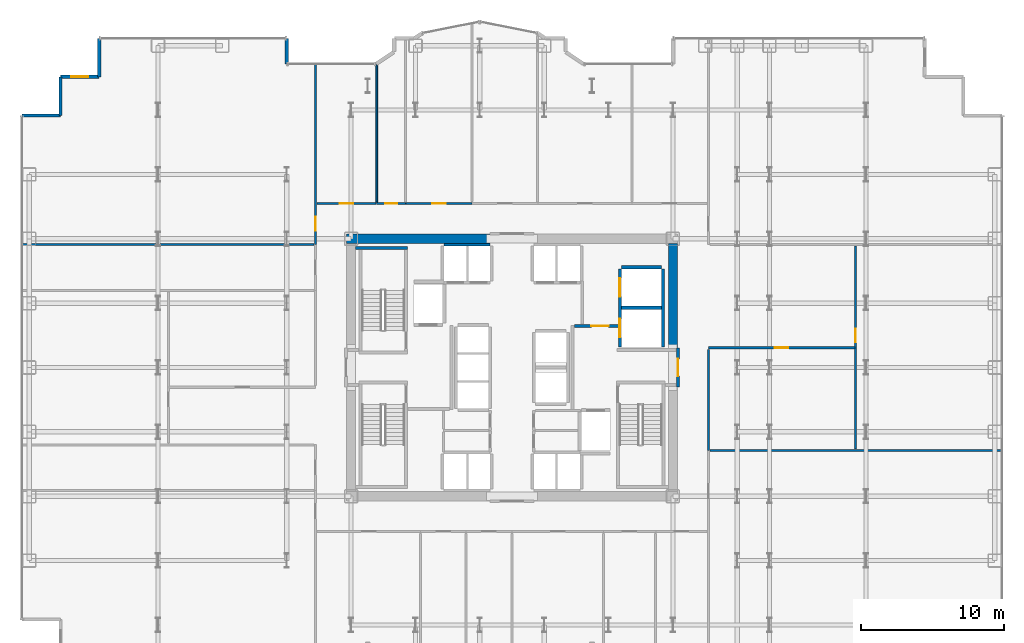
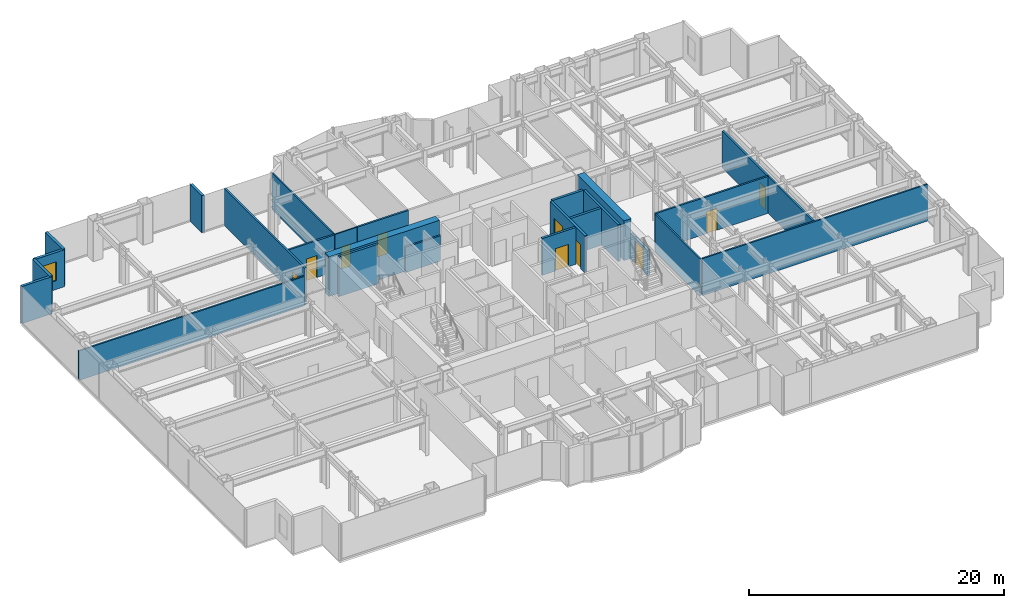
# One storey, part 23 of 25: 25 walls, 10 doors, 1 window, 11 openings.
"""IFC4 building model written with IfcOpenShell, lengths in metres."""

from ifc_helpers import new_model, si_unit, direction, frame, frame_2d, origin, place, context, subcontext, project, spatial, rectangle, extrude, source, transform, mapped, material, layer, layer_set, type_object, element, fill, save


model = new_model("IFC4")

# Units and contexts
model_context = context("Model", 3, precision=1e-05, world=origin(), true_north=direction((0.0, 1.0)))
body_context = subcontext(model_context, "Body", "Model", "MODEL_VIEW")
ifc_project = project(units=[si_unit("LENGTHUNIT", "METRE"), si_unit("AREAUNIT", "SQUARE_METRE"), si_unit("VOLUMEUNIT", "CUBIC_METRE"), si_unit("PLANEANGLEUNIT", "RADIAN"), si_unit("MASSUNIT", "GRAM", prefix="KILO")], contexts=[model_context])

# Site, building, storey
site_placement = place(None, origin())
site = spatial("IfcSite", under=ifc_project, at=site_placement, CompositionType="ELEMENT")
building_placement = place(site_placement, origin())
building = spatial("IfcBuilding", under=site, at=building_placement, Name="Nefas-Gora Pilgrimage Tower", CompositionType="ELEMENT")
storey_placement = place(building_placement, frame((0.0, 0.0, 71.0)))
storey = spatial("IfcBuildingStorey", under=building, at=storey_placement, Name="L16", CompositionType="ELEMENT", Elevation=71.0)

# Walls
ifc_material_1 = material(Name="Concrete C60/75", Category="concrete")
ifc_layer_1 = layer(ifc_material_1, 0.64990234375)
ifc_layer_set_1 = layer_set([ifc_layer_1], Name="Concrete C60/75")
wall_type_1 = type_object("IfcWallType", Name="SW-CORE-650", PredefinedType="SHEAR", material=ifc_layer_set_1)
shared_shape_1 = source(origin(), body_context, "Body", "SweptSolid", [
    extrude(rectangle(XDim=10.02490234375, YDim=0.64990234375, at=frame_2d((5.012451171875, 0.0))), origin(), (0.0, 0.0, 1.0), 3.800048828125),
])
wall_1_placement = place(storey_placement, frame((-11.574951171875, 9.0, 0.0), z_axis=(0.0, 0.0, 1.0), x_axis=(1.0, 0.0, 0.0)))
element("IfcWall", 1, at=wall_1_placement, inside=storey, type_object=wall_type_1, Name="L16 Core Shear Wall N-West", PredefinedType="SHEAR", context=body_context, shape_type="MappedRepresentation", body=[
    mapped(shared_shape_1, transform((0.0, 0.0, 0.0), x_axis=(1.0, 0.0, 0.0), y_axis=(0.0, 1.0, 0.0), z_axis=(0.0, 0.0, 1.0), scale=1.0)),
])
shared_shape_2 = source(origin(), body_context, "Body", "SweptSolid", [
    extrude(rectangle(XDim=7.324951171875, YDim=0.64990234375, at=frame_2d((3.66259765625, 0.0))), origin(), (0.0, 0.0, 1.0), 3.800048828125),
])
wall_2_placement = place(storey_placement, frame((11.25, 1.35009765625, 0.0), z_axis=(0.0, 0.0, 1.0), x_axis=(0.0, 1.0, 0.0)))
element("IfcWall", 2, at=wall_2_placement, inside=storey, type_object=wall_type_1, Name="L16 Core Shear Wall E-North", PredefinedType="SHEAR", context=body_context, shape_type="MappedRepresentation", body=[
    mapped(shared_shape_2, transform((0.0, 0.0, 0.0), x_axis=(1.0, 0.0, 0.0), y_axis=(0.0, 1.0, 0.0), z_axis=(0.0, 0.0, 1.0), scale=1.0)),
])
ifc_material_2 = material(Name="Precast concrete C40/50", Category="concrete")
ifc_layer_2 = layer(ifc_material_2, 0.260009765625)
ifc_layer_set_2 = layer_set([ifc_layer_2], Name="Precast concrete C40/50")
wall_type_2 = type_object("IfcWallType", Name="EW-PORTAL-260", PredefinedType="SOLIDWALL", material=ifc_layer_set_2)
shared_shape_3 = source(origin(), body_context, "Body", "SweptSolid", [
    extrude(rectangle(XDim=1.800048828125, YDim=0.260009765625, at=frame_2d((0.89990234375, 0.0))), origin(), (0.0, 0.0, 1.0), 3.550048828125),
])
wall_3_placement = place(storey_placement, frame((-15.75, 21.219970703125, 0.0), z_axis=(0.0, 0.0, 1.0), x_axis=(0.0, 1.0, 0.0)))
element("IfcWall", 3, at=wall_3_placement, inside=storey, type_object=wall_type_2, Name="L16 Lobe Shoulder Precast Spandrel Pier 19", PredefinedType="SOLIDWALL", context=body_context, shape_type="MappedRepresentation", body=[
    mapped(shared_shape_3, transform((0.0, 0.0, 0.0), x_axis=(1.0, 0.0, 0.0), y_axis=(0.0, 1.0, 0.0), z_axis=(0.0, 0.0, 1.0), scale=1.0)),
])
ifc_material_3 = material(Name="Precast concrete C45/55", Category="concrete")
ifc_layer_3 = layer(ifc_material_3, 0.239990234375)
ifc_layer_set_3 = layer_set([ifc_layer_3], Name="Precast concrete C45/55")
wall_type_3 = type_object("IfcWallType", Name="EW-SERR-240", PredefinedType="SHEAR", material=ifc_layer_set_3)
shared_shape_4 = source(origin(), body_context, "Body", "SweptSolid", [
    extrude(rectangle(XDim=2.699951171875, YDim=0.239990234375, at=frame_2d((1.35009765625, 0.0))), origin(), (0.0, 0.0, 1.0), 3.550048828125),
])
wall_4_placement = place(storey_placement, frame((-28.8701171875, 23.02001953125, 0.0), z_axis=(0.0, 0.0, 1.0), x_axis=(0.0, -1.0, 0.0)))
element("IfcWall", 4, at=wall_4_placement, inside=storey, type_object=wall_type_3, Name="L16 Serrated Corner Shear Pier Wall 20", PredefinedType="SHEAR", context=body_context, shape_type="MappedRepresentation", body=[
    mapped(shared_shape_4, transform((0.0, 0.0, 0.0), x_axis=(1.0, 0.0, 0.0), y_axis=(0.0, 1.0, 0.0), z_axis=(0.0, 0.0, 1.0), scale=1.0)),
])

# Wall, opening, window
wall_5_placement = place(storey_placement, frame((-28.8701171875, 20.320068359375, 0.0), z_axis=(0.0, 0.0, 1.0), x_axis=(-1.0, 0.0, 0.0)))
wall_5 = element("IfcWall", 5, at=wall_5_placement, inside=storey, type_object=wall_type_3, Name="L16 Serrated Corner Shear Pier Wall 21", PredefinedType="SHEAR", context=body_context, shape_type="MappedRepresentation", body=[
    mapped(shared_shape_4, transform((0.0, 0.0, 0.0), x_axis=(1.0, 0.0, 0.0), y_axis=(0.0, 1.0, 0.0), z_axis=(0.0, 0.0, 1.0), scale=1.0)),
])
opening_1_placement = place(wall_5_placement, frame((0.75, 0.0, 0.85009765625)))
opening_1 = element("IfcOpeningElement", 6, at=opening_1_placement, cuts=wall_5, Name="Opening W-V1", PredefinedType="OPENING", context=body_context, shape_type="SweptSolid", body=[
    extrude(rectangle(XDim=1.199951171875, YDim=1.800048828125, at=frame_2d((0.60009765625, 0.89990234375))), frame((0.0, 0.1298828125, 0.0), z_axis=(0.0, -1.0, 0.0), x_axis=(1.0, 0.0, 0.0)), (0.0, 0.0, 1.0), 0.260009765625),
])
ifc_material_4 = material(Name="Dark ceramic-fritted operable aluminium-glass window", Category="aluminium")
window_type = type_object("IfcWindowType", Name="WIN-VENT-1200x1800", PartitioningType="SINGLE_PANEL", PredefinedType="WINDOW", material=ifc_material_4)
shared_shape_5 = source(origin(), body_context, "Body", "SweptSolid", [
    extrude(rectangle(XDim=1.199951171875, YDim=1.800048828125, at=frame_2d((0.60009765625, 0.89990234375))), frame((0.0, 0.030029296875, 0.0), z_axis=(0.0, -1.0, 0.0), x_axis=(1.0, 0.0, 0.0)), (0.0, 0.0, 1.0), 0.06005859375),
])
window_placement = place(opening_1_placement, origin())
window = element("IfcWindow", 7, at=window_placement, inside=storey, type_object=window_type, Name="L16 Operable Parallel-Outswing Window 21", OverallHeight=1.800048828125, OverallWidth=1.199951171875, PartitioningType="SINGLE_PANEL", PredefinedType="WINDOW", context=body_context, shape_type="MappedRepresentation", body=[
    mapped(shared_shape_5, transform((0.0, 0.0, 0.0), x_axis=(1.0, 0.0, 0.0), y_axis=(0.0, 1.0, 0.0), z_axis=(0.0, 0.0, 1.0), scale=1.0)),
])
fill(opening_1, window)

# Walls
for number, where, z_axis, x_axis, name in (
    (8, (-31.570068359375, 20.320068359375, 0.0), (0.0, 0.0, 1.0), (0.0, -1.0, 0.0), "L16 Serrated Corner Shear Pier Wall 22"),
    (9, (-31.570068359375, 17.6201171875, 0.0), (0.0, 0.0, 1.0), (-1.0, 0.0, 0.0), "L16 Serrated Corner Shear Pier Wall 23"),
):
    element("IfcWall", number, at=place(storey_placement, frame(where, z_axis=z_axis, x_axis=x_axis)), inside=storey, type_object=wall_type_3, Name=name, PredefinedType="SHEAR", context=body_context, shape_type="MappedRepresentation", body=[
        mapped(shared_shape_4, transform((0.0, 0.0, 0.0), x_axis=(1.0, 0.0, 0.0), y_axis=(0.0, 1.0, 0.0), z_axis=(0.0, 0.0, 1.0), scale=1.0)),
    ])
ifc_material_5 = material(Name="Concrete C45/55", Category="concrete")
ifc_layer_4 = layer(ifc_material_5, 0.199951171875)
ifc_layer_set_4 = layer_set([ifc_layer_4], Name="Concrete C45/55")
wall_type_4 = type_object("IfcWallType", Name="IW-STAIR-200", PredefinedType="SOLIDWALL", material=ifc_layer_set_4)
shared_shape_6 = source(origin(), body_context, "Body", "SweptSolid", [
    extrude(rectangle(XDim=3.6298828125, YDim=0.199951171875, at=frame_2d((1.81494140625, 0.0))), origin(), (0.0, 0.0, 1.0), 3.800048828125),
])
wall_6_placement = place(storey_placement, frame((-7.300048828125, 8.35009765625, 0.0), z_axis=(0.0, 0.0, 1.0), x_axis=(-1.0, 0.0, 0.0)))
element("IfcWall", 10, at=wall_6_placement, inside=storey, type_object=wall_type_4, Name="L16 Stairwell Shear Wall ST-01-far", PredefinedType="SOLIDWALL", context=body_context, shape_type="MappedRepresentation", body=[
    mapped(shared_shape_6, transform((0.0, 0.0, 0.0), x_axis=(1.0, 0.0, 0.0), y_axis=(0.0, 1.0, 0.0), z_axis=(0.0, 0.0, 1.0), scale=1.0)),
])

# Wall, openings, doors
ifc_material_6 = material(Name="Concrete C40/50", Category="concrete")
ifc_layer_5 = layer(ifc_material_6, 0.219970703125)
ifc_layer_set_5 = layer_set([ifc_layer_5], Name="Concrete C40/50")
wall_type_5 = type_object("IfcWallType", Name="IW-SHAFT-220", PredefinedType="SOLIDWALL", material=ifc_layer_set_5)
shared_shape_7 = source(origin(), body_context, "Body", "SweptSolid", [
    extrude(rectangle(XDim=5.449951171875, YDim=0.219970703125, at=frame_2d((2.72509765625, 0.0))), origin(), (0.0, 0.0, 1.0), 3.534912109375),
])
wall_7_placement = place(storey_placement, frame((7.5400390625, 6.89990234375, 0.0), z_axis=(0.0, 0.0, 1.0), x_axis=(0.0, -1.0, 0.0)))
wall_7 = element("IfcWall", 11, at=wall_7_placement, inside=storey, type_object=wall_type_5, Name="L16 Hoistway Wall SL-01-02-W", PredefinedType="SOLIDWALL", context=body_context, shape_type="MappedRepresentation", body=[
    mapped(shared_shape_7, transform((0.0, 0.0, 0.0), x_axis=(1.0, 0.0, 0.0), y_axis=(0.0, 1.0, 0.0), z_axis=(0.0, 0.0, 1.0), scale=1.0)),
])
opening_2_placement = place(wall_7_placement, frame((3.5, 0.0, 0.0)))
opening_2 = element("IfcOpeningElement", 12, at=opening_2_placement, cuts=wall_7, Name="Opening LD-SV", PredefinedType="OPENING", context=body_context, shape_type="SweptSolid", body=[
    extrude(rectangle(XDim=1.300048828125, YDim=2.300048828125, at=frame_2d((0.64990234375, 1.14990234375))), frame((0.0, 0.119873046875, 0.0), z_axis=(0.0, -1.0, 0.0), x_axis=(1.0, 0.0, 0.0)), (0.0, 0.0, 1.0), 0.239990234375),
])
opening_3_placement = place(wall_7_placement, frame((0.64990234375, 0.0, 0.0)))
opening_3 = element("IfcOpeningElement", 13, at=opening_3_placement, cuts=wall_7, Name="Opening LD-SV", PredefinedType="OPENING", context=body_context, shape_type="SweptSolid", body=[
    extrude(rectangle(XDim=1.300048828125, YDim=2.300048828125, at=frame_2d((0.64990234375, 1.14990234375))), frame((0.0, 0.119873046875, 0.0), z_axis=(0.0, -1.0, 0.0), x_axis=(1.0, 0.0, 0.0)), (0.0, 0.0, 1.0), 0.239990234375),
])
ifc_material_7 = material(Name="Heavy goods sliding lift landing door")
door_type_1 = type_object("IfcDoorType", Name="DR-LIFT-SERV-1300", OperationType="SLIDING_TO_RIGHT", PredefinedType="DOOR", material=ifc_material_7)
shared_shape_8 = source(origin(), body_context, "Body", "SweptSolid", [
    extrude(rectangle(XDim=1.300048828125, YDim=2.300048828125, at=frame_2d((0.64990234375, 1.14990234375))), frame((0.0, 0.02490234375, 0.0), z_axis=(0.0, -1.0, 0.0), x_axis=(1.0, 0.0, 0.0)), (0.0, 0.0, 1.0), 0.050048828125),
])
door_1_placement = place(opening_2_placement, origin())
door_1 = element("IfcDoor", 14, at=door_1_placement, inside=storey, type_object=door_type_1, Name="L16 Sliding Lift Landing Door SL-01", OperationType="SLIDING_TO_RIGHT", OverallHeight=2.300048828125, OverallWidth=1.300048828125, PredefinedType="DOOR", context=body_context, shape_type="MappedRepresentation", body=[
    mapped(shared_shape_8, transform((0.0, 0.0, 0.0), x_axis=(1.0, 0.0, 0.0), y_axis=(0.0, 1.0, 0.0), z_axis=(0.0, 0.0, 1.0), scale=1.0)),
])
fill(opening_2, door_1)
door_2_placement = place(opening_3_placement, origin())
door_2 = element("IfcDoor", 15, at=door_2_placement, inside=storey, type_object=door_type_1, Name="L16 Sliding Lift Landing Door SL-02", OperationType="SLIDING_TO_RIGHT", OverallHeight=2.300048828125, OverallWidth=1.300048828125, PredefinedType="DOOR", context=body_context, shape_type="MappedRepresentation", body=[
    mapped(shared_shape_8, transform((0.0, 0.0, 0.0), x_axis=(1.0, 0.0, 0.0), y_axis=(0.0, 1.0, 0.0), z_axis=(0.0, 0.0, 1.0), scale=1.0)),
])
fill(opening_3, door_2)

# Walls
wall_8_placement = place(storey_placement, frame((10.56005859375, 1.449951171875, 0.0), z_axis=(0.0, 0.0, 1.0), x_axis=(0.0, 1.0, 0.0)))
element("IfcWall", 16, at=wall_8_placement, inside=storey, type_object=wall_type_5, Name="L16 Hoistway Wall SL-01-02-E", PredefinedType="SOLIDWALL", context=body_context, shape_type="MappedRepresentation", body=[
    mapped(shared_shape_7, transform((0.0, 0.0, 0.0), x_axis=(1.0, 0.0, 0.0), y_axis=(0.0, 1.0, 0.0), z_axis=(0.0, 0.0, 1.0), scale=1.0)),
])
shared_shape_9 = source(origin(), body_context, "Body", "SweptSolid", [
    extrude(rectangle(XDim=2.780029296875, YDim=0.219970703125, at=frame_2d((1.39013671875, 0.0))), origin(), (0.0, 0.0, 1.0), 3.534912109375),
])
for number, where, z_axis, x_axis, name in (
    (17, (7.659912109375, 4.175048828125, 0.0), (0.0, 0.0, 1.0), (1.0, 0.0, 0.0), "L16 Hoistway Wall SL-01-02-DIV"),
    (18, (10.43994140625, 7.010009765625, 0.0), (0.0, 0.0, 1.0), (-1.0, 0.0, 0.0), "L16 Hoistway Wall SL-02-N"),
):
    element("IfcWall", number, at=place(storey_placement, frame(where, z_axis=z_axis, x_axis=x_axis)), inside=storey, type_object=wall_type_5, Name=name, PredefinedType="SOLIDWALL", context=body_context, shape_type="MappedRepresentation", body=[
        mapped(shared_shape_9, transform((0.0, 0.0, 0.0), x_axis=(1.0, 0.0, 0.0), y_axis=(0.0, 1.0, 0.0), z_axis=(0.0, 0.0, 1.0), scale=1.0)),
    ])
ifc_material_8 = material(Name="Gypsum acoustic stud partition")
ifc_layer_6 = layer(ifc_material_8, 0.159912109375)
ifc_layer_set_6 = layer_set([ifc_layer_6], Name="Gypsum acoustic stud partition")
wall_type_6 = type_object("IfcWallType", Name="IW-CORR-160", PredefinedType="PARTITIONING", material=ifc_layer_set_6)
shared_shape_10 = source(origin(), body_context, "Body", "SweptSolid", [
    extrude(rectangle(XDim=3.199951171875, YDim=0.159912109375, at=frame_2d((1.60009765625, 0.0))), origin(), (0.0, 0.0, 1.0), 2.425048828125),
])
wall_9_placement = place(storey_placement, frame((-1.550048828125, 8.580078125, 0.0), z_axis=(0.0, 0.0, 1.0), x_axis=(-1.0, 0.0, 0.0)))
element("IfcWall", 19, at=wall_9_placement, inside=storey, type_object=wall_type_6, Name="L16 Hoistway Wall PL1-W-N", PredefinedType="PARTITIONING", context=body_context, shape_type="MappedRepresentation", body=[
    mapped(shared_shape_10, transform((0.0, 0.0, 0.0), x_axis=(1.0, 0.0, 0.0), y_axis=(0.0, 1.0, 0.0), z_axis=(0.0, 0.0, 1.0), scale=1.0)),
])

# Wall, opening, door
ifc_material_9 = material(Name="Gypsum fire-rated shaftwall")
ifc_layer_7 = layer(ifc_material_9, 0.199951171875)
ifc_layer_set_7 = layer_set([ifc_layer_7], Name="Gypsum fire-rated shaftwall")
wall_type_7 = type_object("IfcWallType", Name="IW-FFLOB-200", PredefinedType="PARTITIONING", material=ifc_layer_set_7)
shared_shape_11 = source(origin(), body_context, "Body", "SweptSolid", [
    extrude(rectangle(XDim=2.7001953125, YDim=0.199951171875, at=frame_2d((1.35009765625, 0.0))), origin(), (0.0, 0.0, 1.0), 2.425048828125),
])
wall_10_placement = place(storey_placement, frame((11.60009765625, -1.35009765625, 0.0), z_axis=(0.0, 0.0, 1.0), x_axis=(0.0, 1.0, 0.0)))
wall_10 = element("IfcWall", 20, at=wall_10_placement, inside=storey, type_object=wall_type_7, Name="L16 FF Lobby East Portal Wall 8", PredefinedType="PARTITIONING", context=body_context, shape_type="MappedRepresentation", body=[
    mapped(shared_shape_11, transform((0.0, 0.0, 0.0), x_axis=(1.0, 0.0, 0.0), y_axis=(0.0, 1.0, 0.0), z_axis=(0.0, 0.0, 1.0), scale=1.0)),
])
opening_4_placement = place(wall_10_placement, frame((0.75, 0.0, 0.0)))
opening_4 = element("IfcOpeningElement", 21, at=opening_4_placement, cuts=wall_10, Name="Opening ID-FF1", PredefinedType="OPENING", context=body_context, shape_type="SweptSolid", body=[
    extrude(rectangle(XDim=1.199951171875, YDim=2.14990234375, at=frame_2d((0.60009765625, 1.074951171875))), frame((0.0, 0.10986328125, 0.0), z_axis=(0.0, -1.0, 0.0), x_axis=(1.0, 0.0, 0.0)), (0.0, 0.0, 1.0), 0.219970703125),
])
ifc_material_10 = material(Name="Smoke-sealed steel firefighting lobby door", Category="steel")
door_type_2 = type_object("IfcDoorType", Name="DR-INT-FFLOB-1200", OperationType="NOTDEFINED", PredefinedType="DOOR", material=ifc_material_10)
shared_shape_12 = source(origin(), body_context, "Body", "SweptSolid", [
    extrude(rectangle(XDim=1.199951171875, YDim=2.14990234375, at=frame_2d((0.60009765625, 1.074951171875))), frame((0.0, 0.02490234375, 0.0), z_axis=(0.0, -1.0, 0.0), x_axis=(1.0, 0.0, 0.0)), (0.0, 0.0, 1.0), 0.050048828125),
])
door_3_placement = place(opening_4_placement, origin())
door_3 = element("IfcDoor", 22, at=door_3_placement, inside=storey, type_object=door_type_2, Name="L16 FF Lobby East Portal Door 2", OperationType="SINGLE_SWING_LEFT", OverallHeight=2.14990234375, OverallWidth=1.199951171875, PredefinedType="DOOR", context=body_context, shape_type="MappedRepresentation", body=[
    mapped(shared_shape_12, transform((0.0, 0.0, 0.0), x_axis=(1.0, 0.0, 0.0), y_axis=(0.0, 1.0, 0.0), z_axis=(0.0, 0.0, 1.0), scale=1.0)),
])
fill(opening_4, door_3)

shared_shape_13 = source(origin(), body_context, "Body", "SweptSolid", [
    extrude(rectangle(XDim=3.039794921875, YDim=0.199951171875, at=frame_2d((1.52001953125, 0.0))), origin(), (0.0, 0.0, 1.0), 3.534912109375),
])
wall_11_placement = place(storey_placement, frame((4.360107421875, 2.89990234375, 0.0), z_axis=(0.0, 0.0, 1.0), x_axis=(1.0, 0.0, 0.0)))
wall_11 = element("IfcWall", 23, at=wall_11_placement, inside=storey, type_object=wall_type_7, Name="L16 FF Lobby East North Wall Wall 10", PredefinedType="PARTITIONING", context=body_context, shape_type="MappedRepresentation", body=[
    mapped(shared_shape_13, transform((0.0, 0.0, 0.0), x_axis=(1.0, 0.0, 0.0), y_axis=(0.0, 1.0, 0.0), z_axis=(0.0, 0.0, 1.0), scale=1.0)),
])
opening_5_placement = place(wall_11_placement, frame((1.18994140625, 0.0, 0.0)))
opening_5 = element("IfcOpeningElement", 24, at=opening_5_placement, cuts=wall_11, Name="Opening ID-PL1", PredefinedType="OPENING", context=body_context, shape_type="SweptSolid", body=[
    extrude(rectangle(XDim=1.199951171875, YDim=2.14990234375, at=frame_2d((0.60009765625, 1.074951171875))), frame((0.0, 0.10986328125, 0.0), z_axis=(0.0, -1.0, 0.0), x_axis=(1.0, 0.0, 0.0)), (0.0, 0.0, 1.0), 0.219970703125),
])
ifc_material_11 = material(Name="Heavy-duty steel plant room fire door", Category="steel")
door_type_3 = type_object("IfcDoorType", Name="DR-INT-PLANT-1200", OperationType="NOTDEFINED", PredefinedType="DOOR", material=ifc_material_11)
door_4_placement = place(opening_5_placement, origin())
door_4 = element("IfcDoor", 25, at=door_4_placement, inside=storey, type_object=door_type_3, Name="L16 Service Lift Lobby Door Door 3", OperationType="SINGLE_SWING_RIGHT", OverallHeight=2.14990234375, OverallWidth=1.199951171875, PredefinedType="DOOR", context=body_context, shape_type="MappedRepresentation", body=[
    mapped(shared_shape_12, transform((0.0, 0.0, 0.0), x_axis=(1.0, 0.0, 0.0), y_axis=(0.0, 1.0, 0.0), z_axis=(0.0, 0.0, 1.0), scale=1.0)),
])
fill(opening_5, door_4)

ifc_material_12 = material(Name="Moisture-resistant fire-rated gypsum partition")
ifc_layer_8 = layer(ifc_material_12, 0.1201171875)
ifc_layer_set_8 = layer_set([ifc_layer_8], Name="Moisture-resistant fire-rated gypsum partition")
wall_type_8 = type_object("IfcWallType", Name="IW-WET-120", PredefinedType="PLUMBINGWALL", material=ifc_layer_set_8)
shared_shape_14 = source(origin(), body_context, "Body", "SweptSolid", [
    extrude(rectangle(XDim=2.02001953125, YDim=0.1201171875, at=frame_2d((1.010009765625, 0.0))), origin(), (0.0, 0.0, 1.0), 3.534912109375),
])
wall_12_placement = place(storey_placement, frame((-9.4599609375, 11.469970703125, 0.0), z_axis=(0.0, 0.0, 1.0), x_axis=(1.0, 0.0, 0.0)))
wall_12 = element("IfcWall", 26, at=wall_12_placement, inside=storey, type_object=wall_type_8, Name="L16 Accessible Unisex WC Partition Wall 25", PredefinedType="PLUMBINGWALL", context=body_context, shape_type="MappedRepresentation", body=[
    mapped(shared_shape_14, transform((0.0, 0.0, 0.0), x_axis=(1.0, 0.0, 0.0), y_axis=(0.0, 1.0, 0.0), z_axis=(0.0, 0.0, 1.0), scale=1.0)),
])
opening_6_placement = place(wall_12_placement, frame((0.5849609375, 0.0, 0.0)))
opening_6 = element("IfcOpeningElement", 27, at=opening_6_placement, cuts=wall_12, Name="Opening ID-BT1", PredefinedType="OPENING", context=body_context, shape_type="SweptSolid", body=[
    extrude(rectangle(XDim=0.85009765625, YDim=2.10009765625, at=frame_2d((0.425048828125, 1.050048828125))), frame((0.0, 0.070068359375, 0.0), z_axis=(0.0, -1.0, 0.0), x_axis=(1.0, 0.0, 0.0)), (0.0, 0.0, 1.0), 0.14013671875),
])
ifc_material_13 = material(Name="Moisture-resistant fire-rated timber door", Category="wood")
door_type_4 = type_object("IfcDoorType", Name="DR-INT-BATH-850", OperationType="NOTDEFINED", PredefinedType="DOOR", material=ifc_material_13)
shared_shape_15 = source(origin(), body_context, "Body", "SweptSolid", [
    extrude(rectangle(XDim=0.85009765625, YDim=2.10009765625, at=frame_2d((0.425048828125, 1.050048828125))), frame((0.0, 0.02490234375, 0.0), z_axis=(0.0, -1.0, 0.0), x_axis=(1.0, 0.0, 0.0)), (0.0, 0.0, 1.0), 0.050048828125),
])
door_5_placement = place(opening_6_placement, origin())
door_5 = element("IfcDoor", 28, at=door_5_placement, inside=storey, type_object=door_type_4, Name="L16 Accessible Unisex WC Door 10", OperationType="SINGLE_SWING_LEFT", OverallHeight=2.10009765625, OverallWidth=0.85009765625, PredefinedType="DOOR", context=body_context, shape_type="MappedRepresentation", body=[
    mapped(shared_shape_15, transform((0.0, 0.0, 0.0), x_axis=(1.0, 0.0, 0.0), y_axis=(0.0, 1.0, 0.0), z_axis=(0.0, 0.0, 1.0), scale=1.0)),
])
fill(opening_6, door_5)

# Wall
shared_shape_16 = source(origin(), body_context, "Body", "SweptSolid", [
    extrude(rectangle(XDim=9.586669921875, YDim=0.1201171875, at=frame_2d((4.79345703125, 0.0))), origin(), (0.0, 0.0, 1.0), 3.534912109375),
])
wall_13_placement = place(storey_placement, frame((-9.449951171875, 11.570068359375, 0.0), z_axis=(0.0, 0.0, 1.0), x_axis=(0.0, 1.0, 0.0)))
element("IfcWall", 29, at=wall_13_placement, inside=storey, type_object=wall_type_8, Name="L16 Accessible Unisex WC Partition Wall 27", PredefinedType="PLUMBINGWALL", context=body_context, shape_type="MappedRepresentation", body=[
    mapped(shared_shape_16, transform((0.0, 0.0, 0.0), x_axis=(1.0, 0.0, 0.0), y_axis=(0.0, 1.0, 0.0), z_axis=(0.0, 0.0, 1.0), scale=1.0)),
])

# Wall, opening, door
shared_shape_17 = source(origin(), body_context, "Body", "SweptSolid", [
    extrude(rectangle(XDim=10.25, YDim=0.159912109375, at=frame_2d((5.125, 0.0))), origin(), (0.0, 0.0, 1.0), 3.534912109375),
])
wall_14_placement = place(storey_placement, frame((13.72998046875, 1.3798828125, 0.0), z_axis=(0.0, 0.0, 1.0), x_axis=(1.0, 0.0, 0.0)))
wall_14 = element("IfcWall", 30, at=wall_14_placement, inside=storey, type_object=wall_type_6, Name="L16 Pilgrim Contemplative Lounge Partition Wall 43", PredefinedType="PARTITIONING", context=body_context, shape_type="MappedRepresentation", body=[
    mapped(shared_shape_17, transform((0.0, 0.0, 0.0), x_axis=(1.0, 0.0, 0.0), y_axis=(0.0, 1.0, 0.0), z_axis=(0.0, 0.0, 1.0), scale=1.0)),
])
opening_7_placement = place(wall_14_placement, frame((4.64990234375, 0.0, 0.0)))
opening_7 = element("IfcOpeningElement", 31, at=opening_7_placement, cuts=wall_14, Name="Opening ID-GR1", PredefinedType="OPENING", context=body_context, shape_type="SweptSolid", body=[
    extrude(rectangle(XDim=0.949951171875, YDim=2.10009765625, at=frame_2d((0.47509765625, 1.050048828125))), frame((0.0, 0.08984375, 0.0), z_axis=(0.0, -1.0, 0.0), x_axis=(1.0, 0.0, 0.0)), (0.0, 0.0, 1.0), 0.179931640625),
])
ifc_material_14 = material(Name="Solid core oak fire-rated guest entrance door")
door_type_5 = type_object("IfcDoorType", Name="DR-INT-GUEST-950", OperationType="NOTDEFINED", PredefinedType="DOOR", material=ifc_material_14)
shared_shape_18 = source(origin(), body_context, "Body", "SweptSolid", [
    extrude(rectangle(XDim=0.949951171875, YDim=2.10009765625, at=frame_2d((0.47509765625, 1.050048828125))), frame((0.0, 0.02490234375, 0.0), z_axis=(0.0, -1.0, 0.0), x_axis=(1.0, 0.0, 0.0)), (0.0, 0.0, 1.0), 0.050048828125),
])
door_6_placement = place(opening_7_placement, origin())
door_6 = element("IfcDoor", 32, at=door_6_placement, inside=storey, type_object=door_type_5, Name="L16 Pilgrim Contemplative Lounge Door 19", OperationType="SINGLE_SWING_RIGHT", OverallHeight=2.10009765625, OverallWidth=0.949951171875, PredefinedType="DOOR", context=body_context, shape_type="MappedRepresentation", body=[
    mapped(shared_shape_18, transform((0.0, 0.0, 0.0), x_axis=(1.0, 0.0, 0.0), y_axis=(0.0, 1.0, 0.0), z_axis=(0.0, 0.0, 1.0), scale=1.0)),
])
fill(opening_7, door_6)

shared_shape_19 = source(origin(), body_context, "Body", "SweptSolid", [
    extrude(rectangle(XDim=4.125, YDim=0.159912109375, at=frame_2d((2.0625, 0.0))), origin(), (0.0, 0.0, 1.0), 3.534912109375),
])
wall_15_placement = place(storey_placement, frame((-13.6201171875, 11.469970703125, 0.0), z_axis=(0.0, 0.0, 1.0), x_axis=(1.0, 0.0, 0.0)))
wall_15 = element("IfcWall", 33, at=wall_15_placement, inside=storey, type_object=wall_type_6, Name="L16 Pilgrim Contemplative Lounge Partition Wall 46", PredefinedType="PARTITIONING", context=body_context, shape_type="MappedRepresentation", body=[
    mapped(shared_shape_19, transform((0.0, 0.0, 0.0), x_axis=(1.0, 0.0, 0.0), y_axis=(0.0, 1.0, 0.0), z_axis=(0.0, 0.0, 1.0), scale=1.0)),
])
opening_8_placement = place(wall_15_placement, frame((1.58740234375, 0.0, 0.0)))
opening_8 = element("IfcOpeningElement", 34, at=opening_8_placement, cuts=wall_15, Name="Opening ID-GR1", PredefinedType="OPENING", context=body_context, shape_type="SweptSolid", body=[
    extrude(rectangle(XDim=0.949951171875, YDim=2.10009765625, at=frame_2d((0.47509765625, 1.050048828125))), frame((0.0, 0.08984375, 0.0), z_axis=(0.0, -1.0, 0.0), x_axis=(1.0, 0.0, 0.0)), (0.0, 0.0, 1.0), 0.179931640625),
])
door_7_placement = place(opening_8_placement, origin())
door_7 = element("IfcDoor", 35, at=door_7_placement, inside=storey, type_object=door_type_5, Name="L16 Pilgrim Contemplative Lounge Door 21", OperationType="SINGLE_SWING_RIGHT", OverallHeight=2.10009765625, OverallWidth=0.949951171875, PredefinedType="DOOR", context=body_context, shape_type="MappedRepresentation", body=[
    mapped(shared_shape_18, transform((0.0, 0.0, 0.0), x_axis=(1.0, 0.0, 0.0), y_axis=(0.0, 1.0, 0.0), z_axis=(0.0, 0.0, 1.0), scale=1.0)),
])
fill(opening_8, door_7)

# Walls
ifc_material_15 = material(Name="Gypsum twin-stud partition")
ifc_layer_9 = layer(ifc_material_15, 0.139892578125)
ifc_layer_set_9 = layer_set([ifc_layer_9], Name="Gypsum twin-stud partition")
wall_type_9 = type_object("IfcWallType", Name="IW-UNIT-140", PredefinedType="PARTITIONING", material=ifc_layer_set_9)
shared_shape_20 = source(origin(), body_context, "Body", "SweptSolid", [
    extrude(rectangle(XDim=20.429931640625, YDim=0.139892578125, at=frame_2d((10.21484375, 0.0))), origin(), (0.0, 0.0, 1.0), 3.534912109375),
])
wall_16_placement = place(storey_placement, frame((13.860107421875, -5.804931640625, 0.0), z_axis=(0.0, 0.0, 1.0), x_axis=(1.0, 0.0, 0.0)))
element("IfcWall", 36, at=wall_16_placement, inside=storey, type_object=wall_type_9, Name="L16 Pilgrim Contemplative Lounge Partition Wall 40", PredefinedType="PARTITIONING", context=body_context, shape_type="MappedRepresentation", body=[
    mapped(shared_shape_20, transform((0.0, 0.0, 0.0), x_axis=(1.0, 0.0, 0.0), y_axis=(0.0, 1.0, 0.0), z_axis=(0.0, 0.0, 1.0), scale=1.0)),
])
shared_shape_21 = source(origin(), body_context, "Body", "SweptSolid", [
    extrude(rectangle(XDim=20.429931640625, YDim=0.139892578125, at=frame_2d((10.21484375, 0.0))), origin(), (0.0, 0.0, 1.0), 2.824951171875),
])
wall_17_placement = place(storey_placement, frame((-34.2900390625, 8.594970703125, 0.0), z_axis=(0.0, 0.0, 1.0), x_axis=(1.0, 0.0, 0.0)))
element("IfcWall", 37, at=wall_17_placement, inside=storey, type_object=wall_type_9, Name="L16 Pilgrim Fellowship Seminar Room Partition Wall 37", PredefinedType="PARTITIONING", context=body_context, shape_type="MappedRepresentation", body=[
    mapped(shared_shape_21, transform((0.0, 0.0, 0.0), x_axis=(1.0, 0.0, 0.0), y_axis=(0.0, 1.0, 0.0), z_axis=(0.0, 0.0, 1.0), scale=1.0)),
])

# Wall, opening, door
shared_shape_22 = source(origin(), body_context, "Body", "SweptSolid", [
    extrude(rectangle(XDim=4.60498046875, YDim=0.159912109375, at=frame_2d((2.302490234375, 0.0))), origin(), (0.0, 0.0, 1.0), 3.534912109375),
])
wall_18_placement = place(storey_placement, frame((-7.405029296875, 11.469970703125, 0.0), z_axis=(0.0, 0.0, 1.0), x_axis=(1.0, 0.0, 0.0)))
wall_18 = element("IfcWall", 38, at=wall_18_placement, inside=storey, type_object=wall_type_6, Name="L16 Pilgrim Contemplative Lounge Partition Wall 47", PredefinedType="PARTITIONING", context=body_context, shape_type="MappedRepresentation", body=[
    mapped(shared_shape_22, transform((0.0, 0.0, 0.0), x_axis=(1.0, 0.0, 0.0), y_axis=(0.0, 1.0, 0.0), z_axis=(0.0, 0.0, 1.0), scale=1.0)),
])
opening_9_placement = place(wall_18_placement, frame((1.827392578125, 0.0, 0.0)))
opening_9 = element("IfcOpeningElement", 39, at=opening_9_placement, cuts=wall_18, Name="Opening ID-GR1", PredefinedType="OPENING", context=body_context, shape_type="SweptSolid", body=[
    extrude(rectangle(XDim=0.949951171875, YDim=2.10009765625, at=frame_2d((0.47509765625, 1.050048828125))), frame((0.0, 0.08984375, 0.0), z_axis=(0.0, -1.0, 0.0), x_axis=(1.0, 0.0, 0.0)), (0.0, 0.0, 1.0), 0.179931640625),
])
door_8_placement = place(opening_9_placement, origin())
door_8 = element("IfcDoor", 40, at=door_8_placement, inside=storey, type_object=door_type_5, Name="L16 Pilgrim Contemplative Lounge Door 22", OperationType="SINGLE_SWING_LEFT", OverallHeight=2.10009765625, OverallWidth=0.949951171875, PredefinedType="DOOR", context=body_context, shape_type="MappedRepresentation", body=[
    mapped(shared_shape_18, transform((0.0, 0.0, 0.0), x_axis=(1.0, 0.0, 0.0), y_axis=(0.0, 1.0, 0.0), z_axis=(0.0, 0.0, 1.0), scale=1.0)),
])
fill(opening_9, door_8)

shared_shape_23 = source(origin(), body_context, "Body", "SweptSolid", [
    extrude(rectangle(XDim=12.64501953125, YDim=0.159912109375, at=frame_2d((6.322509765625, 0.0))), origin(), (0.0, 0.0, 1.0), 3.534912109375),
])
wall_19_placement = place(storey_placement, frame((-13.739990234375, 8.594970703125, 0.0), z_axis=(0.0, 0.0, 1.0), x_axis=(0.0, 1.0, 0.0)))
wall_19 = element("IfcWall", 41, at=wall_19_placement, inside=storey, type_object=wall_type_6, Name="L16 Pilgrim Contemplative Lounge Partition Wall 38", PredefinedType="PARTITIONING", context=body_context, shape_type="MappedRepresentation", body=[
    mapped(shared_shape_23, transform((0.0, 0.0, 0.0), x_axis=(1.0, 0.0, 0.0), y_axis=(0.0, 1.0, 0.0), z_axis=(0.0, 0.0, 1.0), scale=1.0)),
])
opening_10_placement = place(wall_19_placement, frame((0.982421875, 0.0, 0.0)))
opening_10 = element("IfcOpeningElement", 42, at=opening_10_placement, cuts=wall_19, Name="Opening ID-GR1", PredefinedType="OPENING", context=body_context, shape_type="SweptSolid", body=[
    extrude(rectangle(XDim=0.949951171875, YDim=2.10009765625, at=frame_2d((0.47509765625, 1.050048828125))), frame((0.0, 0.08984375, 0.0), z_axis=(0.0, -1.0, 0.0), x_axis=(1.0, 0.0, 0.0)), (0.0, 0.0, 1.0), 0.179931640625),
])
door_9_placement = place(opening_10_placement, origin())
door_9 = element("IfcDoor", 43, at=door_9_placement, inside=storey, type_object=door_type_5, Name="L16 Pilgrim Contemplative Lounge Door 16", OperationType="SINGLE_SWING_LEFT", OverallHeight=2.10009765625, OverallWidth=0.949951171875, PredefinedType="DOOR", context=body_context, shape_type="MappedRepresentation", body=[
    mapped(shared_shape_18, transform((0.0, 0.0, 0.0), x_axis=(1.0, 0.0, 0.0), y_axis=(0.0, 1.0, 0.0), z_axis=(0.0, 0.0, 1.0), scale=1.0)),
])
fill(opening_10, door_9)

# Wall
shared_shape_24 = source(origin(), body_context, "Body", "SweptSolid", [
    extrude(rectangle(XDim=7.06494140625, YDim=0.139892578125, at=frame_2d((3.532470703125, 0.0))), origin(), (0.0, 0.0, 1.0), 3.534912109375),
])
wall_20_placement = place(storey_placement, frame((13.739990234375, -5.804931640625, 0.0), z_axis=(0.0, 0.0, 1.0), x_axis=(0.0, 1.0, 0.0)))
element("IfcWall", 44, at=wall_20_placement, inside=storey, type_object=wall_type_9, Name="L16 Pilgrim Contemplative Lounge Partition Wall 44", PredefinedType="PARTITIONING", context=body_context, shape_type="MappedRepresentation", body=[
    mapped(shared_shape_24, transform((0.0, 0.0, 0.0), x_axis=(1.0, 0.0, 0.0), y_axis=(0.0, 1.0, 0.0), z_axis=(0.0, 0.0, 1.0), scale=1.0)),
])

# Wall, opening, door
shared_shape_25 = source(origin(), body_context, "Body", "SweptSolid", [
    extrude(rectangle(XDim=14.1826171875, YDim=0.159912109375, at=frame_2d((7.09130859375, 0.0))), origin(), (0.0, 0.0, 1.0), 3.534912109375),
])
wall_21_placement = place(storey_placement, frame((24.02001953125, -5.695068359375, 0.0), z_axis=(0.0, 0.0, 1.0), x_axis=(0.0, 1.0, 0.0)))
wall_21 = element("IfcWall", 45, at=wall_21_placement, inside=storey, type_object=wall_type_6, Name="L16 Pilgrim Contemplative Lounge Partition Wall 45", PredefinedType="PARTITIONING", context=body_context, shape_type="MappedRepresentation", body=[
    mapped(shared_shape_25, transform((0.0, 0.0, 0.0), x_axis=(1.0, 0.0, 0.0), y_axis=(0.0, 1.0, 0.0), z_axis=(0.0, 0.0, 1.0), scale=1.0)),
])
opening_11_placement = place(wall_21_placement, frame((7.469970703125, 0.0, 0.0)))
opening_11 = element("IfcOpeningElement", 46, at=opening_11_placement, cuts=wall_21, Name="Opening ID-GR1", PredefinedType="OPENING", context=body_context, shape_type="SweptSolid", body=[
    extrude(rectangle(XDim=0.949951171875, YDim=2.10009765625, at=frame_2d((0.47509765625, 1.050048828125))), frame((0.0, 0.08984375, 0.0), z_axis=(0.0, -1.0, 0.0), x_axis=(1.0, 0.0, 0.0)), (0.0, 0.0, 1.0), 0.179931640625),
])
door_10_placement = place(opening_11_placement, origin())
door_10 = element("IfcDoor", 47, at=door_10_placement, inside=storey, type_object=door_type_5, Name="L16 Pilgrim Contemplative Lounge Door 20", OperationType="SINGLE_SWING_LEFT", OverallHeight=2.10009765625, OverallWidth=0.949951171875, PredefinedType="DOOR", context=body_context, shape_type="MappedRepresentation", body=[
    mapped(shared_shape_18, transform((0.0, 0.0, 0.0), x_axis=(1.0, 0.0, 0.0), y_axis=(0.0, 1.0, 0.0), z_axis=(0.0, 0.0, 1.0), scale=1.0)),
])
fill(opening_11, door_10)

save(model, "model.ifc")
